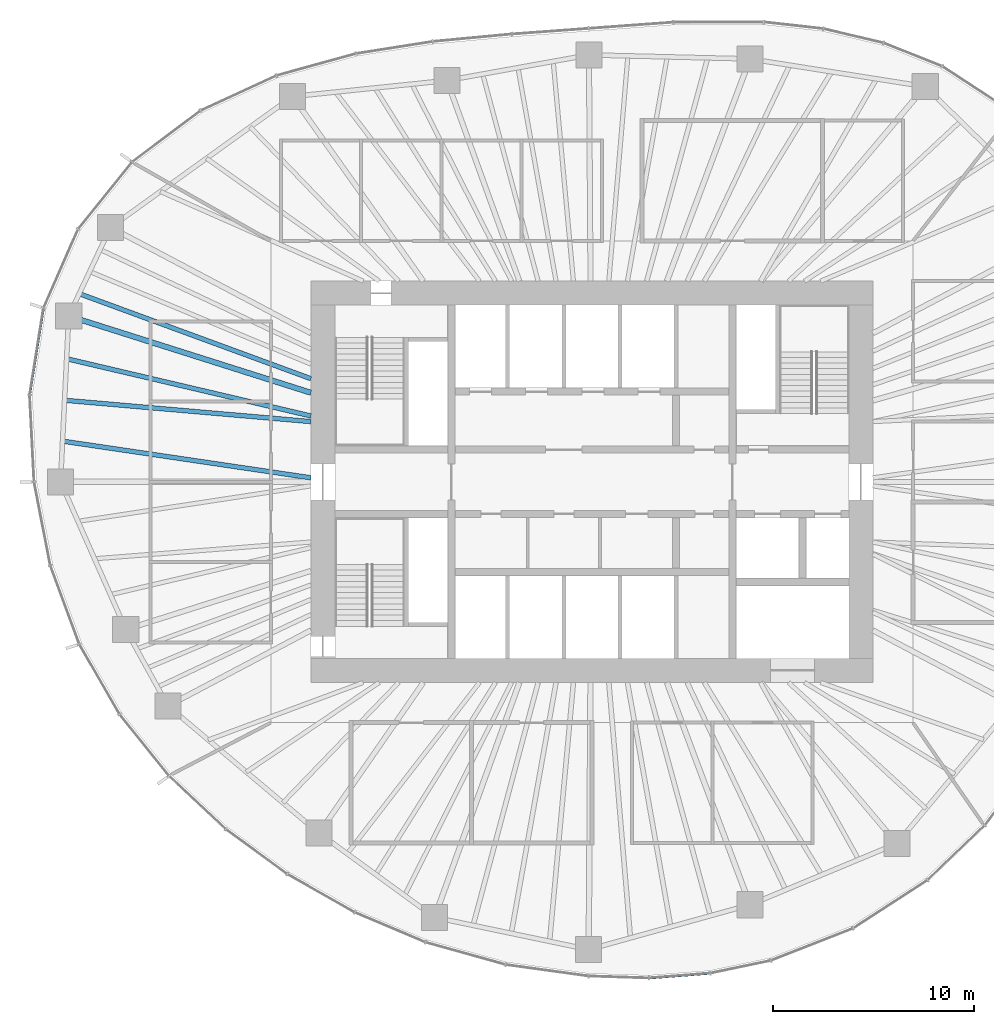
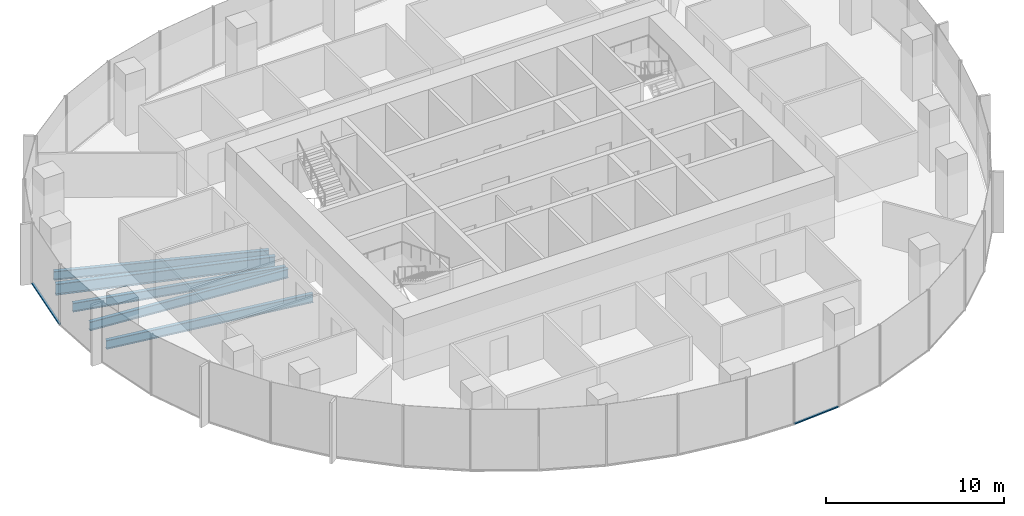
# One storey, part 3 of 12: 5 beams, 2 members, 2 elements without a shape of their own.
"""IFC4 building model written with IfcOpenShell, lengths in metres."""

from ifc_helpers import new_model, si_unit, direction, frame, origin, origin_2d, place, context, subcontext, project, spatial, rectangle, i_section, extrude, material, material_profile, profile_set, type_object, element, aggregate, save


model = new_model("IFC4")

# Units and contexts
model_context = context("Model", 3, precision=1e-05, world=origin(), true_north=direction((0.0, 1.0)))
body_context = subcontext(model_context, "Body", "Model", "MODEL_VIEW")
ifc_project = project(units=[si_unit("LENGTHUNIT", "METRE"), si_unit("AREAUNIT", "SQUARE_METRE"), si_unit("VOLUMEUNIT", "CUBIC_METRE"), si_unit("PLANEANGLEUNIT", "RADIAN"), si_unit("MASSUNIT", "GRAM", prefix="KILO")], contexts=[model_context])

# Site, building, storey
site_placement = place(None, origin())
site = spatial("IfcSite", under=ifc_project, at=site_placement, CompositionType="ELEMENT")
building_placement = place(site_placement, origin())
building = spatial("IfcBuilding", under=site, at=building_placement, Name="Ghaith Harvest Tower", CompositionType="ELEMENT")
storey_placement = place(building_placement, frame((0.0, 0.0, 199.0)))
storey = spatial("IfcBuildingStorey", under=building, at=storey_placement, Name="L43", CompositionType="ELEMENT", Elevation=199.0)

# Curtain wall, member
ifc_material_1 = material(Name="Black anodised aluminium and fritted glass", Category="aluminium")
curtain_wall_type = type_object("IfcCurtainWallType", Name="CW-H CURTAIN WALL", PredefinedType="NOTDEFINED", material=ifc_material_1)
curtain_wall_1_placement = place(storey_placement, origin())
curtain_wall_1 = element("IfcCurtainWall", 1, at=curtain_wall_1_placement, inside=storey, type_object=curtain_wall_type, Name="Curtain wall CW-H bay 10 L43", PredefinedType="NOTDEFINED")
ifc_material_2 = material(Name="Aluminium, black anodised", Category="aluminium")
ifc_material_profile_1 = material_profile(ifc_material_2, rectangle(XDim=0.1298828125, YDim=0.080078125, at=origin_2d()), Name="CW-H TRANSOM 130x80")
ifc_profile_set_1 = profile_set([ifc_material_profile_1], Name="Aluminium, black anodised")
member_type = type_object("IfcMemberType", Name="CW-H TRANSOM 130x80", PredefinedType="USERDEFINED", material=ifc_profile_set_1)
member_1_placement = place(storey_placement, frame((-27.33203125, 8.62060546875, 0.0400390625), z_axis=(-0.157492444441, -0.98752019217, 0.0), x_axis=(0.98752019217, -0.157492444441, 0.0)))
member_1 = element("IfcMember", 2, at=member_1_placement, type_object=member_type, Name="CW-H transom 1 bay 10 L43", ObjectType="TRANSOM", PredefinedType="USERDEFINED", context=body_context, shape_type="SweptSolid", body=[
    extrude(rectangle(XDim=0.1298828125, YDim=0.080078125, at=origin_2d()), origin(), (0.0, 0.0, 1.0), 4.3017578125),
])
aggregate(curtain_wall_1, [member_1])

curtain_wall_2_placement = place(storey_placement, origin())
curtain_wall_2 = element("IfcCurtainWall", 3, at=curtain_wall_2_placement, inside=storey, type_object=curtain_wall_type, Name="Curtain wall CW-H bay 16 L43", PredefinedType="NOTDEFINED")
member_2_placement = place(storey_placement, frame((2.8876953125, -24.71826171875, 0.0400390625), z_axis=(0.996949781933, 0.078045706505, 0.0), x_axis=(-0.078045706505, 0.996949781933, 0.0)))
member_2 = element("IfcMember", 4, at=member_2_placement, type_object=member_type, Name="CW-H transom 2 bay 16 L43", ObjectType="TRANSOM", PredefinedType="USERDEFINED", context=body_context, shape_type="SweptSolid", body=[
    extrude(rectangle(XDim=0.1298828125, YDim=0.080078125, at=origin_2d()), origin(), (0.0, 0.0, 1.0), 2.974853515625),
])
aggregate(curtain_wall_2, [member_2])

# Beams
ifc_material_3 = material(Name="Steel ASTM A992 Grade 50", Category="steel")
ifc_material_profile_2 = material_profile(ifc_material_3, i_section(OverallWidth=0.26806640625, OverallDepth=0.77001953125, WebThickness=0.015625, FlangeThickness=0.025390625, at=origin_2d()), Name="W760X196")
ifc_profile_set_2 = profile_set([ifc_material_profile_2], Name="Steel ASTM A992 Grade 50")
beam_type_1 = type_object("IfcBeamType", Name="G760-196 W760X196", PredefinedType="BEAM", material=ifc_profile_set_2)
beam_1_placement = place(storey_placement, frame((-14.0, 4.43701171875, -0.554931640625), z_axis=(-0.953278738841, 0.302092115212, 0.0), x_axis=(-0.302092115212, -0.953278738841, 0.0)))
element("IfcBeam", 5, at=beam_1_placement, inside=storey, type_object=beam_type_1, Name="Radial girder G10 L43", PredefinedType="BEAM", context=body_context, shape_type="SweptSolid", body=[
    extrude(i_section(OverallWidth=0.26806640625, OverallDepth=0.77001953125, WebThickness=0.015625, FlangeThickness=0.025390625, at=origin_2d()), origin(), (0.0, 0.0, 1.0), 12.658203125),
])
ifc_material_4 = material(Name="Steel ASTM A992 Grade 50", Category="steel")
ifc_material_profile_3 = material_profile(ifc_material_4, i_section(OverallWidth=0.22900390625, OverallDepth=0.612060546875, WebThickness=0.011962890625, FlangeThickness=0.01953125, at=origin_2d()), Name="W610X125")
ifc_profile_set_3 = profile_set([ifc_material_profile_3], Name="Steel ASTM A992 Grade 50")
beam_type_2 = type_object("IfcBeamType", Name="J610-125 W610X125", PredefinedType="JOIST", material=ifc_profile_set_3)
beam_2_placement = place(storey_placement, frame((-14.0, 5.137939453125, -0.47607421875), z_axis=(-0.938775301049, 0.344530019216, 0.0), x_axis=(-0.344530019216, -0.938775301049, 0.0)))
element("IfcBeam", 6, at=beam_2_placement, inside=storey, type_object=beam_type_2, Name="Joist J09.3 L43", PredefinedType="JOIST", context=body_context, shape_type="SweptSolid", body=[
    extrude(i_section(OverallWidth=0.22900390625, OverallDepth=0.612060546875, WebThickness=0.011962890625, FlangeThickness=0.01953125, at=origin_2d()), origin(), (0.0, 0.0, 1.0), 12.295166015625),
])
beam_3_placement = place(storey_placement, frame((-14.0, 3.280517578125, -0.47607421875), z_axis=(-0.973621665777, 0.228168472691, 0.0), x_axis=(-0.228168472691, -0.973621665777, 0.0)))
element("IfcBeam", 7, at=beam_3_placement, inside=storey, type_object=beam_type_2, Name="Joist J10.1 L43", PredefinedType="JOIST", context=body_context, shape_type="SweptSolid", body=[
    extrude(i_section(OverallWidth=0.22900390625, OverallDepth=0.612060546875, WebThickness=0.011962890625, FlangeThickness=0.01953125, at=origin_2d()), origin(), (0.0, 0.0, 1.0), 12.501953125),
])
beam_4_placement = place(storey_placement, frame((-14.0, 3.0, -0.47607421875), z_axis=(-0.996265900996, 0.086338024716, 0.0), x_axis=(-0.086338024716, -0.996265900996, 0.0)))
element("IfcBeam", 8, at=beam_4_placement, inside=storey, type_object=beam_type_2, Name="Joist J10.2 L43", PredefinedType="JOIST", context=body_context, shape_type="SweptSolid", body=[
    extrude(i_section(OverallWidth=0.22900390625, OverallDepth=0.612060546875, WebThickness=0.011962890625, FlangeThickness=0.01953125, at=origin_2d()), origin(), (0.0, 0.0, 1.0), 12.3203125),
])
beam_5_placement = place(storey_placement, frame((-14.0, 0.199951171875, -0.47607421875), z_axis=(-0.989269378665, 0.146103033631, 0.0), x_axis=(-0.146103033631, -0.989269378665, 0.0)))
element("IfcBeam", 9, at=beam_5_placement, inside=storey, type_object=beam_type_2, Name="Joist J10.3 L43", PredefinedType="JOIST", context=body_context, shape_type="SweptSolid", body=[
    extrude(i_section(OverallWidth=0.22900390625, OverallDepth=0.612060546875, WebThickness=0.011962890625, FlangeThickness=0.01953125, at=origin_2d()), origin(), (0.0, 0.0, 1.0), 12.50927734375),
])

save(model, "model.ifc")
